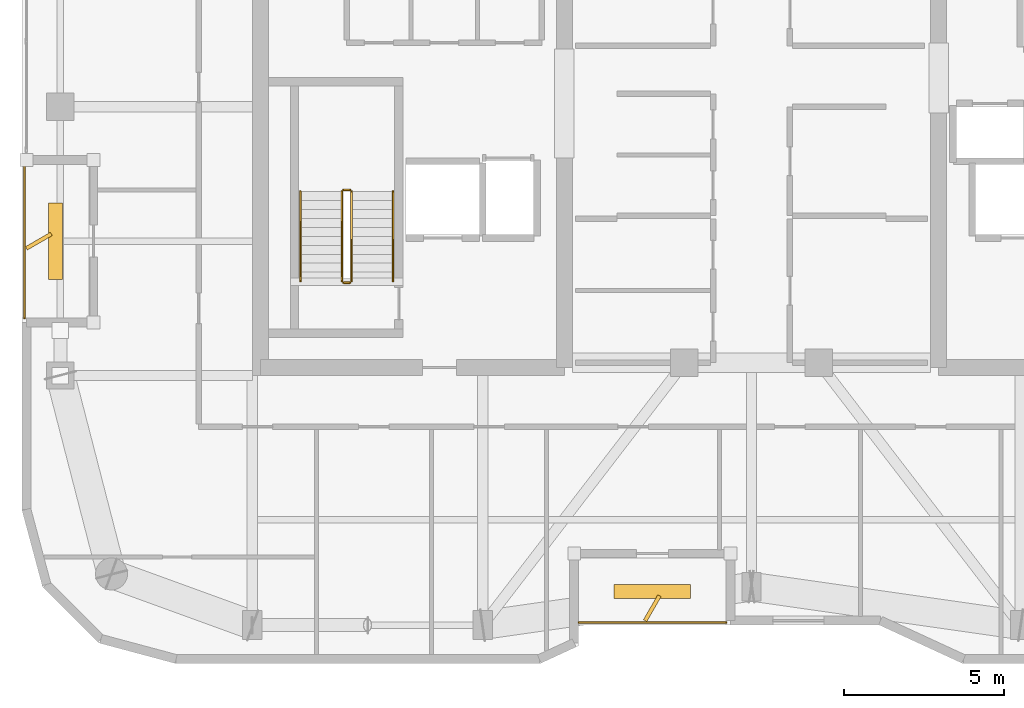
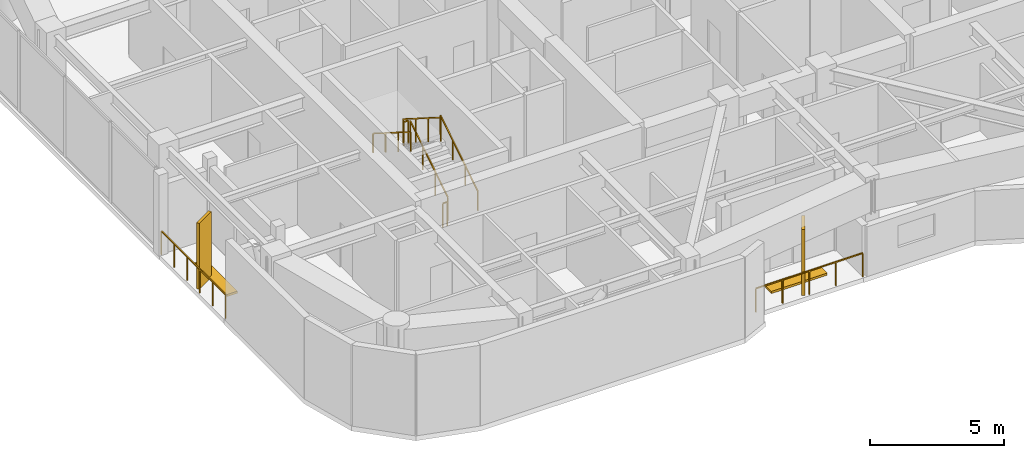
# One storey, part 15 of 16: 8 railings, 4 shading devices.
"""IFC4 building model written with IfcOpenShell, lengths in metres."""

from ifc_helpers import new_model, si_unit, direction, frame, origin, origin_2d, place, context, subcontext, project, spatial, rectangle, extrude, material, type_object, element, save


model = new_model("IFC4")

# Units and contexts
model_context = context("Model", 3, precision=1e-05, world=origin(), true_north=direction((0.0, 1.0)))
body_context = subcontext(model_context, "Body", "Model", "MODEL_VIEW")
ifc_project = project(units=[si_unit("LENGTHUNIT", "METRE"), si_unit("AREAUNIT", "SQUARE_METRE"), si_unit("VOLUMEUNIT", "CUBIC_METRE"), si_unit("PLANEANGLEUNIT", "RADIAN"), si_unit("MASSUNIT", "GRAM", prefix="KILO")], contexts=[model_context])

# Site, building, storey
site_placement = place(None, origin())
site = spatial("IfcSite", under=ifc_project, at=site_placement, CompositionType="ELEMENT")
building_placement = place(site_placement, origin())
building = spatial("IfcBuilding", under=site, at=building_placement, Name="Kiyonajd Concourse Tower", CompositionType="ELEMENT")
storey_placement = place(building_placement, frame((0.0, 0.0, 310.199951171875)))
storey = spatial("IfcBuildingStorey", under=building, at=storey_placement, Name="L78", CompositionType="ELEMENT", Elevation=310.199951171875)

# Railings
ifc_material_1 = material(Name="Thermally Broken Anodised Aluminium", Category="aluminium")
railing_type_1 = type_object("IfcRailingType", Name="RL-GRD-LOG", PredefinedType="GUARDRAIL", material=ifc_material_1)
railing_1_placement = place(storey_placement, frame((42.60009765625, 19.8798828125, 0.0)))
element("IfcRailing", 1, at=railing_1_placement, inside=storey, type_object=railing_type_1, Name="L78 Engawa Loggia Perimeter Guard LOG-S", PredefinedType="GUARDRAIL", context=body_context, shape_type="SweptSolid", body=[
    extrude(rectangle(XDim=0.048095703125, YDim=0.048095703125, at=origin_2d()), frame((0.0, 0.0, 1.076171875), z_axis=(1.0, 0.0, 0.0), x_axis=(0.0, 1.0, 0.0)), (0.0, 0.0, 1.0), 4.599853515625),
    extrude(rectangle(XDim=0.0419921875, YDim=0.0419921875, at=origin_2d()), origin(), (0.0, 0.0, 1.0), 1.052001953125),
    extrude(rectangle(XDim=0.0419921875, YDim=0.0419921875, at=origin_2d()), frame((1.14990234375, 0.0, 0.0)), (0.0, 0.0, 1.0), 1.052001953125),
    extrude(rectangle(XDim=0.0419921875, YDim=0.0419921875, at=origin_2d()), frame((2.2998046875, 0.0, 0.0)), (0.0, 0.0, 1.0), 1.052001953125),
    extrude(rectangle(XDim=0.0419921875, YDim=0.0419921875, at=origin_2d()), frame((3.449951171875, 0.0, 0.0)), (0.0, 0.0, 1.0), 1.052001953125),
    extrude(rectangle(XDim=0.0419921875, YDim=0.0419921875, at=origin_2d()), frame((4.599853515625, 0.0, 0.0)), (0.0, 0.0, 1.0), 1.052001953125),
])
railing_2_placement = place(storey_placement, frame((25.280029296875, 34.199951171875, 0.0)))
element("IfcRailing", 2, at=railing_2_placement, inside=storey, type_object=railing_type_1, Name="L78 Engawa Loggia Perimeter Guard LOG-W", PredefinedType="GUARDRAIL", context=body_context, shape_type="SweptSolid", body=[
    extrude(rectangle(XDim=0.048095703125, YDim=0.048095703125, at=origin_2d()), frame((0.0, 0.0, 1.076171875), z_axis=(0.0, -1.0, 0.0), x_axis=(1.0, 0.0, 0.0)), (0.0, 0.0, 1.0), 4.800048828125),
    extrude(rectangle(XDim=0.0419921875, YDim=0.0419921875, at=origin_2d()), origin(), (0.0, 0.0, 1.0), 1.052001953125),
    extrude(rectangle(XDim=0.0419921875, YDim=0.0419921875, at=origin_2d()), frame((0.0, -0.9599609375, 0.0)), (0.0, 0.0, 1.0), 1.052001953125),
    extrude(rectangle(XDim=0.0419921875, YDim=0.0419921875, at=origin_2d()), frame((0.0, -1.919921875, 0.0)), (0.0, 0.0, 1.0), 1.052001953125),
    extrude(rectangle(XDim=0.0419921875, YDim=0.0419921875, at=origin_2d()), frame((0.0, -2.880126953125, 0.0)), (0.0, 0.0, 1.0), 1.052001953125),
    extrude(rectangle(XDim=0.0419921875, YDim=0.0419921875, at=origin_2d()), frame((0.0, -3.840087890625, 0.0)), (0.0, 0.0, 1.0), 1.052001953125),
    extrude(rectangle(XDim=0.0419921875, YDim=0.0419921875, at=origin_2d()), frame((0.0, -4.800048828125, 0.0)), (0.0, 0.0, 1.0), 1.052001953125),
])
ifc_material_2 = material(Name="Steel ASTM A500 Grade C", Category="steel")
railing_type_2 = type_object("IfcRailingType", Name="RL-GRD-STR", PredefinedType="GUARDRAIL", material=ifc_material_2)
railing_3_placement = place(storey_placement, frame((35.5, 30.550048828125, 0.17724609375)))
element("IfcRailing", 3, at=railing_3_placement, inside=storey, type_object=railing_type_2, Name="L78 ST1 stair guard 1", PredefinedType="GUARDRAIL", context=body_context, shape_type="SweptSolid", body=[
    extrude(rectangle(XDim=0.048095703125, YDim=0.048095703125, at=origin_2d()), frame((0.0, 0.0, 1.076171875), z_axis=(0.0, 0.844908973607, 0.534910110503), x_axis=(-1.0, 0.0, 0.0)), (0.0, 0.0, 1.0), 3.31396484375),
    extrude(rectangle(XDim=0.0419921875, YDim=0.0419921875, at=origin_2d()), origin(), (0.0, 0.0, 1.0), 1.052001953125),
    extrude(rectangle(XDim=0.0419921875, YDim=0.0419921875, at=origin_2d()), frame((0.0, 0.933349609375, 0.5908203125)), (0.0, 0.0, 1.0), 1.052001953125),
    extrude(rectangle(XDim=0.0419921875, YDim=0.0419921875, at=origin_2d()), frame((0.0, 1.86669921875, 1.181884765625)), (0.0, 0.0, 1.0), 1.052001953125),
    extrude(rectangle(XDim=0.0419921875, YDim=0.0419921875, at=origin_2d()), frame((0.0, 2.800048828125, 1.772705078125)), (0.0, 0.0, 1.0), 1.052001953125),
])
railing_4_placement = place(storey_placement, frame((35.449951171875, 33.39990234375, 1.949951171875)))
element("IfcRailing", 4, at=railing_4_placement, inside=storey, type_object=railing_type_2, Name="L78 ST1 stair guard 2", PredefinedType="GUARDRAIL", context=body_context, shape_type="SweptSolid", body=[
    extrude(rectangle(XDim=0.048095703125, YDim=0.048095703125, at=origin_2d()), frame((0.0, 0.0, 1.076171875), z_axis=(-1.0, 0.0, 0.0), x_axis=(0.0, -1.0, 0.0)), (0.0, 0.0, 1.0), 0.199951171875),
    extrude(rectangle(XDim=0.0419921875, YDim=0.0419921875, at=origin_2d()), origin(), (0.0, 0.0, 1.0), 1.052001953125),
    extrude(rectangle(XDim=0.0419921875, YDim=0.0419921875, at=origin_2d()), frame((-0.199951171875, 0.0, 0.0)), (0.0, 0.0, 1.0), 1.052001953125),
])
railing_5_placement = place(storey_placement, frame((35.199951171875, 33.35009765625, 2.12744140625)))
element("IfcRailing", 5, at=railing_5_placement, inside=storey, type_object=railing_type_2, Name="L78 ST1 stair guard 3", PredefinedType="GUARDRAIL", context=body_context, shape_type="SweptSolid", body=[
    extrude(rectangle(XDim=0.048095703125, YDim=0.048095703125, at=origin_2d()), frame((0.0, 0.0, 1.076171875), z_axis=(0.0, -0.844908973607, 0.534910110503), x_axis=(1.0, 0.0, 0.0)), (0.0, 0.0, 1.0), 3.31396484375),
    extrude(rectangle(XDim=0.0419921875, YDim=0.0419921875, at=origin_2d()), origin(), (0.0, 0.0, 1.0), 1.052001953125),
    extrude(rectangle(XDim=0.0419921875, YDim=0.0419921875, at=origin_2d()), frame((0.0, -0.933349609375, 0.5908203125)), (0.0, 0.0, 1.0), 1.052001953125),
    extrude(rectangle(XDim=0.0419921875, YDim=0.0419921875, at=origin_2d()), frame((0.0, -1.86669921875, 1.181884765625)), (0.0, 0.0, 1.0), 1.052001953125),
    extrude(rectangle(XDim=0.0419921875, YDim=0.0419921875, at=origin_2d()), frame((0.0, -2.800048828125, 1.772705078125)), (0.0, 0.0, 1.0), 1.052001953125),
])
railing_6_placement = place(storey_placement, frame((35.449951171875, 30.5, 0.0)))
element("IfcRailing", 6, at=railing_6_placement, inside=storey, type_object=railing_type_2, Name="L78 ST1 stair guard 4", PredefinedType="GUARDRAIL", context=body_context, shape_type="SweptSolid", body=[
    extrude(rectangle(XDim=0.048095703125, YDim=0.048095703125, at=origin_2d()), frame((0.0, 0.0, 1.076171875), z_axis=(-1.0, 0.0, 0.0), x_axis=(0.0, -1.0, 0.0)), (0.0, 0.0, 1.0), 0.199951171875),
    extrude(rectangle(XDim=0.0419921875, YDim=0.0419921875, at=origin_2d()), origin(), (0.0, 0.0, 1.0), 1.052001953125),
    extrude(rectangle(XDim=0.0419921875, YDim=0.0419921875, at=origin_2d()), frame((-0.199951171875, 0.0, 0.0)), (0.0, 0.0, 1.0), 1.052001953125),
])
ifc_material_3 = material(Name="Brushed Stainless Steel Cab Assembly", Category="steel")
railing_type_3 = type_object("IfcRailingType", Name="RL-HND-900", PredefinedType="HANDRAIL", material=ifc_material_3)
railing_7_placement = place(storey_placement, frame((36.800048828125, 30.550048828125, 0.17724609375)))
element("IfcRailing", 7, at=railing_7_placement, inside=storey, type_object=railing_type_3, Name="L78 ST1 stair handrail 1", PredefinedType="HANDRAIL", context=body_context, shape_type="SweptSolid", body=[
    extrude(rectangle(XDim=0.048095703125, YDim=0.048095703125, at=origin_2d()), frame((0.0, 0.0, 0.8759765625), z_axis=(0.0, 0.844908973607, 0.534910110503), x_axis=(-1.0, 0.0, 0.0)), (0.0, 0.0, 1.0), 3.31396484375),
    extrude(rectangle(XDim=0.0419921875, YDim=0.0419921875, at=origin_2d()), origin(), (0.0, 0.0, 1.0), 0.851806640625),
    extrude(rectangle(XDim=0.0419921875, YDim=0.0419921875, at=origin_2d()), frame((0.0, 0.933349609375, 0.5908203125)), (0.0, 0.0, 1.0), 0.851806640625),
    extrude(rectangle(XDim=0.0419921875, YDim=0.0419921875, at=origin_2d()), frame((0.0, 1.86669921875, 1.181884765625)), (0.0, 0.0, 1.0), 0.851806640625),
    extrude(rectangle(XDim=0.0419921875, YDim=0.0419921875, at=origin_2d()), frame((0.0, 2.800048828125, 1.772705078125)), (0.0, 0.0, 1.0), 0.851806640625),
])
railing_8_placement = place(storey_placement, frame((33.89990234375, 33.35009765625, 2.12744140625)))
element("IfcRailing", 8, at=railing_8_placement, inside=storey, type_object=railing_type_3, Name="L78 ST1 stair handrail 2", PredefinedType="HANDRAIL", context=body_context, shape_type="SweptSolid", body=[
    extrude(rectangle(XDim=0.048095703125, YDim=0.048095703125, at=origin_2d()), frame((0.0, 0.0, 0.8759765625), z_axis=(0.0, -0.844908973607, 0.534910110503), x_axis=(1.0, 0.0, 0.0)), (0.0, 0.0, 1.0), 3.31396484375),
    extrude(rectangle(XDim=0.0419921875, YDim=0.0419921875, at=origin_2d()), origin(), (0.0, 0.0, 1.0), 0.851806640625),
    extrude(rectangle(XDim=0.0419921875, YDim=0.0419921875, at=origin_2d()), frame((0.0, -0.933349609375, 0.5908203125)), (0.0, 0.0, 1.0), 0.851806640625),
    extrude(rectangle(XDim=0.0419921875, YDim=0.0419921875, at=origin_2d()), frame((0.0, -1.86669921875, 1.181884765625)), (0.0, 0.0, 1.0), 0.851806640625),
    extrude(rectangle(XDim=0.0419921875, YDim=0.0419921875, at=origin_2d()), frame((0.0, -2.800048828125, 1.772705078125)), (0.0, 0.0, 1.0), 0.851806640625),
])

# Shading devices
ifc_material_4 = material(Name="Precast concrete C50/60", Category="concrete")
shading_device_type_1 = type_object("IfcShadingDeviceType", Name="SH-FIN-900", PredefinedType="USERDEFINED", material=ifc_material_4)
for number, where, z_axis, x_axis, name in (
    (9, (44.89990234375, 20.330078125, 0.0), (0.0, 0.0, 1.0), (0.5, 0.866025403784, 0.0), "L78 Angled Koshi Solar Fin LOG-S"),
    (10, (25.72998046875, 31.800048828125, 0.0), (0.0, 0.0, 1.0), (0.866025403784, 0.5, 0.0), "L78 Angled Koshi Solar Fin LOG-W"),
):
    element("IfcShadingDevice", number, at=place(storey_placement, frame(where, z_axis=z_axis, x_axis=x_axis)), inside=storey, type_object=shading_device_type_1, Name=name, ObjectType="FIN", PredefinedType="USERDEFINED", context=body_context, shape_type="SweptSolid", body=[
        extrude(rectangle(XDim=0.89990234375, YDim=0.1201171875, at=origin_2d()), origin(), (0.0, 0.0, 1.0), 3.0),
    ])
shading_device_type_2 = type_object("IfcShadingDeviceType", Name="SH-LVR-600", PredefinedType="JALOUSIE", material=ifc_material_1)
for number, where, z_axis, x_axis, name in (
    (11, (44.89990234375, 20.85009765625, 0.0), (0.0, 0.0, 1.0), (1.0, 0.0, 0.0), "L78 Loggia Threshold Louver LOG-S"),
    (12, (26.25, 31.800048828125, 0.0), (0.0, 0.0, 1.0), (0.0, 1.0, 0.0), "L78 Loggia Threshold Louver LOG-W"),
):
    element("IfcShadingDevice", number, at=place(storey_placement, frame(where, z_axis=z_axis, x_axis=x_axis)), inside=storey, type_object=shading_device_type_2, Name=name, PredefinedType="JALOUSIE", context=body_context, shape_type="SweptSolid", body=[
        extrude(rectangle(XDim=2.39990234375, YDim=0.449951171875, at=origin_2d()), origin(), (0.0, 0.0, 1.0), 0.10009765625),
    ])

save(model, "model.ifc")
